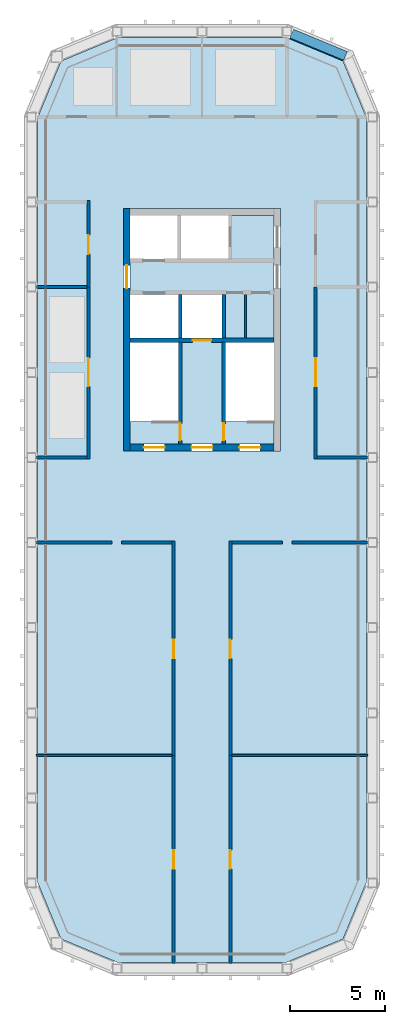
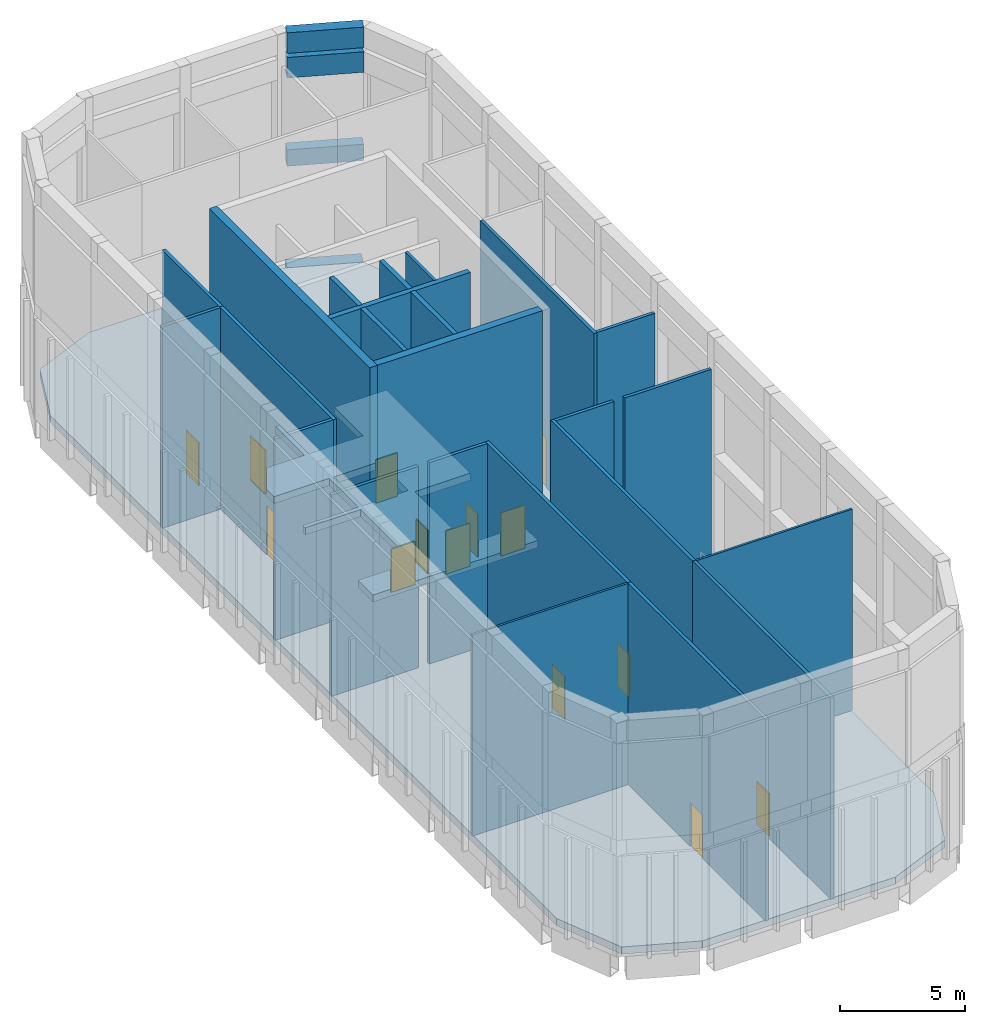
# One storey, part 2 of 7: 24 walls, 14 doors, 4 beams, 2 slabs, 14 openings.
"""IFC4 building model written with IfcOpenShell, lengths in metres."""

from ifc_helpers import new_model, si_unit, direction, frame, frame_2d, origin, origin_2d, place, context, subcontext, project, spatial, polyline, rectangle, hollow_rectangle, outline, extrude, material, layer, layer_set, material_profile, profile_set, type_object, element, fill, save


model = new_model("IFC4")

# Units and contexts
model_context = context("Model", 3, precision=1e-05, world=origin(), true_north=direction((0.0, 1.0)))
body_context = subcontext(model_context, "Body", "Model", "MODEL_VIEW")
ifc_project = project(units=[si_unit("LENGTHUNIT", "METRE"), si_unit("AREAUNIT", "SQUARE_METRE"), si_unit("VOLUMEUNIT", "CUBIC_METRE"), si_unit("PLANEANGLEUNIT", "RADIAN"), si_unit("MASSUNIT", "GRAM", prefix="KILO")], contexts=[model_context])

# Site, building, storey
site_placement = place(None, origin())
site = spatial("IfcSite", under=ifc_project, at=site_placement, CompositionType="ELEMENT")
building_placement = place(site_placement, origin())
building = spatial("IfcBuilding", under=site, at=building_placement, Name="Girih Gate Residences", CompositionType="ELEMENT")
storey_placement = place(building_placement, frame((0.0, 0.0, 247.094970703125)))
storey = spatial("IfcBuildingStorey", under=building, at=storey_placement, Name="L67", CompositionType="ELEMENT", Elevation=247.094970703125)

# Beams
ifc_material_1 = material(Name="Steel S460", Category="steel")
ifc_material_profile_1 = material_profile(ifc_material_1, hollow_rectangle(XDim=0.60009765625, YDim=1.199951171875, WallThickness=0.0400390625, at=origin_2d()))
ifc_profile_set_1 = profile_set([ifc_material_profile_1], Name="Steel S460")
beam_type_1 = type_object("IfcBeamType", Name="CROWN FRAME ring beam BOX 1200x600x40 Steel S460", PredefinedType="BEAM", material=ifc_profile_set_1)
beam_1_placement = place(storey_placement, frame((16.567138671875, 48.2294921875, -0.599853515625), z_axis=(-0.923877253694, 0.382688933871, 0.0), x_axis=(-0.382688933871, -0.923877253694, 0.0)))
element("IfcBeam", 1, at=beam_1_placement, inside=storey, type_object=beam_type_1, Name="CROWN FRAME ring beam 247.1 2", PredefinedType="BEAM", context=body_context, shape_type="SweptSolid", body=[
    extrude(hollow_rectangle(XDim=0.60009765625, YDim=1.199951171875, WallThickness=0.0400390625, at=origin_2d()), origin(), (0.0, 0.0, 1.0), 3.06982421875),
])
ifc_material_profile_2 = material_profile(ifc_material_1, hollow_rectangle(XDim=0.5, YDim=1.0, WallThickness=0.030029296875, at=origin_2d()))
ifc_profile_set_2 = profile_set([ifc_material_profile_2], Name="Steel S460")
beam_type_2 = type_object("IfcBeamType", Name="CROWN FRAME roof ring beam BOX 1000x500x30 Steel S460", PredefinedType="BEAM", material=ifc_profile_set_2)
for number, where, z_axis, x_axis, name in (
    (2, (16.58642578125, 48.2216796875, 9.699951171875), (-0.923897456466, 0.382640157244, 0.0), (-0.382640157244, -0.923897456466, 0.0), "CROWN FRAME ring beam 257.3 2"),
    (3, (16.58642578125, 48.2216796875, 10.900146484375), (-0.923897456466, 0.382640157244, 0.0), (-0.382640157244, -0.923897456466, 0.0), "CROWN FRAME ring beam 258.5 2"),
):
    element("IfcBeam", number, at=place(storey_placement, frame(where, z_axis=z_axis, x_axis=x_axis)), inside=storey, type_object=beam_type_2, Name=name, PredefinedType="BEAM", context=body_context, shape_type="SweptSolid", body=[
        extrude(hollow_rectangle(XDim=0.5, YDim=1.0, WallThickness=0.030029296875, at=origin_2d()), origin(), (0.0, 0.0, 1.0), 3.090576171875),
    ])
ifc_material_profile_3 = material_profile(ifc_material_1, hollow_rectangle(XDim=0.5, YDim=0.800048828125, WallThickness=0.030029296875, at=origin_2d()))
ifc_profile_set_3 = profile_set([ifc_material_profile_3], Name="Steel S460")
beam_type_3 = type_object("IfcBeamType", Name="CROWN FRAME stiffening ring BOX 800x500x30 Steel S460", PredefinedType="BEAM", material=ifc_profile_set_3)
beam_2_placement = place(storey_placement, frame((16.58642578125, 48.2216796875, 5.300048828125), z_axis=(-0.923897456466, 0.382640157244, 0.0), x_axis=(-0.382640157244, -0.923897456466, 0.0)))
element("IfcBeam", 4, at=beam_2_placement, inside=storey, type_object=beam_type_3, Name="CROWN FRAME ring beam 252.8 2", PredefinedType="BEAM", context=body_context, shape_type="SweptSolid", body=[
    extrude(hollow_rectangle(XDim=0.5, YDim=0.800048828125, WallThickness=0.030029296875, at=origin_2d()), origin(), (0.0, 0.0, 1.0), 3.090576171875),
])

# Slabs
ifc_material_2 = material(Name="Concrete C40/50", Category="concrete")
ifc_layer_1 = layer(ifc_material_2, 0.35009765625)
ifc_layer_set_1 = layer_set([ifc_layer_1], Name="Core floor slab 350")
slab_type_1 = type_object("IfcSlabType", Name="Core floor slab 350", PredefinedType="FLOOR", material=ifc_layer_set_1)
slab_1_placement = place(storey_placement, frame((0.0, 0.0, -0.349853515625)))
element("IfcSlab", 5, at=slab_1_placement, inside=storey, type_object=slab_type_1, Name="L67 W core floor", PredefinedType="FLOOR", context=body_context, shape_type="SweptSolid", body=[
    extrude(outline(polyline([(12.800048828125, 27.699951171875), (5.199951171875, 27.699951171875), (5.199951171875, 28.900634765625), (7.75, 28.900634765625), (7.75, 33.10009765625), (5.199951171875, 33.10009765625), (5.199951171875, 33.300048828125), (7.75, 33.300048828125), (7.75, 35.60009765625), (5.199951171875, 35.60009765625), (5.199951171875, 37.5), (7.699951171875, 37.5), (7.699951171875, 39.800048828125), (7.89990234375, 39.800048828125), (7.89990234375, 37.5), (10.39990234375, 37.5), (10.39990234375, 39.800048828125), (12.800048828125, 39.800048828125), (12.800048828125, 33.10009765625), (10.25, 33.10009765625), (10.25, 28.900634765625), (12.800048828125, 28.900634765625), (12.800048828125, 27.699951171875)]), holes=[polyline([(7.949951171875, 33.300048828125), (10.050048828125, 33.300048828125), (10.050048828125, 35.60009765625), (7.949951171875, 35.60009765625), (7.949951171875, 33.300048828125)])]), origin(), (0.0, 0.0, 1.0), 0.349853515625),
])
ifc_layer_2 = layer(ifc_material_2, 0.35009765625)
ifc_layer_set_2 = layer_set([ifc_layer_2], Name="Floor slab PT 350 Concrete C40/50")
slab_type_2 = type_object("IfcSlabType", Name="Floor slab PT 350 Concrete C40/50", PredefinedType="FLOOR", material=ifc_layer_set_2)
slab_2_placement = place(storey_placement, frame((0.0, 0.0, -0.349853515625)))
element("IfcSlab", 6, at=slab_2_placement, inside=storey, type_object=slab_type_2, Name="Floor slab L67 0", PredefinedType="FLOOR", context=body_context, shape_type="SweptSolid", body=[
    extrude(outline(polyline([(17.699951171875, 44.9404296875), (16.452392578125, 47.952392578125), (13.4404296875, 49.199951171875), (4.5595703125, 49.199951171875), (1.547607421875, 47.952392578125), (0.300048828125, 44.9404296875), (0.300048828125, 4.5595703125), (1.547607421875, 1.547607421875), (4.5595703125, 0.300048828125), (13.4404296875, 0.300048828125), (16.452392578125, 1.547607421875), (17.699951171875, 4.5595703125), (17.699951171875, 44.9404296875)]), holes=[polyline([(4.85009765625, 40.14990234375), (13.14990234375, 40.14990234375), (13.14990234375, 27.35009765625), (4.85009765625, 27.35009765625), (4.85009765625, 40.14990234375)])]), origin(), (0.0, 0.0, 1.0), 0.349853515625),
])

# Wall, opening, door
ifc_material_3 = material(Name="Gypsum board on steel studs", Category="steel")
ifc_layer_3 = layer(ifc_material_3, 0.14990234375)
ifc_layer_set_3 = layer_set([ifc_layer_3], Name="Compartment wall 150 mm")
wall_type_1 = type_object("IfcWallType", Name="Compartment wall 150 mm", PredefinedType="PARTITIONING", material=ifc_layer_set_3)
wall_1_placement = place(storey_placement, frame((15.0, 36.0, 0.0), z_axis=(0.0, 0.0, 1.0), x_axis=(0.0, -1.0, 0.0)))
wall_1 = element("IfcWall", 7, at=wall_1_placement, inside=storey, type_object=wall_type_1, Name="L67 partition", PredefinedType="PARTITIONING", context=body_context, shape_type="SweptSolid", body=[
    extrude(rectangle(XDim=9.074951171875, YDim=0.14990234375, at=frame_2d((4.53759765625, 0.0))), origin(), (0.0, 0.0, 1.0), 9.800048828125),
])
opening_1_placement = place(wall_1_placement, frame((3.75, 0.0, 0.0)))
opening_1 = element("IfcOpeningElement", 8, at=opening_1_placement, cuts=wall_1, Name="Opening D-L67-S-001", PredefinedType="OPENING", context=body_context, shape_type="SweptSolid", body=[
    extrude(rectangle(XDim=1.5, YDim=2.39990234375, at=frame_2d((0.75, 1.199951171875))), frame((0.0, 0.0849609375, 0.0), z_axis=(0.0, -1.0, 0.0), x_axis=(1.0, 0.0, 0.0)), (0.0, 0.0, 1.0), 0.169921875),
])
ifc_material_4 = material(Name="Painted steel, fire-resisting", Category="steel")
door_type_1 = type_object("IfcDoorType", Name="Plant room door pair 1500x2400 FD60", OperationType="DOUBLE_DOOR_SINGLE_SWING", PredefinedType="DOOR", material=ifc_material_4)
door_1_placement = place(opening_1_placement, origin())
door_1 = element("IfcDoor", 9, at=door_1_placement, inside=storey, type_object=door_type_1, Name="Door L67-001", OperationType="DOUBLE_DOOR_SINGLE_SWING", OverallHeight=2.39990234375, OverallWidth=1.5, PredefinedType="DOOR", context=body_context, shape_type="SweptSolid", body=[
    extrude(rectangle(XDim=1.5, YDim=2.39990234375, at=frame_2d((0.75, 1.199951171875))), frame((0.0, 0.02490234375, 0.0), z_axis=(0.0, -1.0, 0.0), x_axis=(1.0, 0.0, 0.0)), (0.0, 0.0, 1.0), 0.050048828125),
])
fill(opening_1, door_1)

wall_2_placement = place(storey_placement, frame((3.0, 26.925048828125, 0.0), z_axis=(0.0, 0.0, 1.0), x_axis=(0.0, 1.0, 0.0)))
wall_2 = element("IfcWall", 10, at=wall_2_placement, inside=storey, type_object=wall_type_1, Name="L67 partition", PredefinedType="PARTITIONING", context=body_context, shape_type="SweptSolid", body=[
    extrude(rectangle(XDim=9.074951171875, YDim=0.14990234375, at=frame_2d((4.53759765625, 0.0))), origin(), (0.0, 0.0, 1.0), 9.800048828125),
])
opening_2_placement = place(wall_2_placement, frame((3.824951171875, 0.0, 0.0)))
opening_2 = element("IfcOpeningElement", 11, at=opening_2_placement, cuts=wall_2, Name="Opening D-L67-S-003", PredefinedType="OPENING", context=body_context, shape_type="SweptSolid", body=[
    extrude(rectangle(XDim=1.5, YDim=2.39990234375, at=frame_2d((0.75, 1.199951171875))), frame((0.0, 0.0849609375, 0.0), z_axis=(0.0, -1.0, 0.0), x_axis=(1.0, 0.0, 0.0)), (0.0, 0.0, 1.0), 0.169921875),
])
door_2_placement = place(opening_2_placement, origin())
door_2 = element("IfcDoor", 12, at=door_2_placement, inside=storey, type_object=door_type_1, Name="Door L67-003", OperationType="DOUBLE_DOOR_SINGLE_SWING", OverallHeight=2.39990234375, OverallWidth=1.5, PredefinedType="DOOR", context=body_context, shape_type="SweptSolid", body=[
    extrude(rectangle(XDim=1.5, YDim=2.39990234375, at=frame_2d((0.75, 1.199951171875))), frame((0.0, 0.02490234375, 0.0), z_axis=(0.0, -1.0, 0.0), x_axis=(1.0, 0.0, 0.0)), (0.0, 0.0, 1.0), 0.050048828125),
])
fill(opening_2, door_2)

wall_3_placement = place(storey_placement, frame((3.0, 36.0, 0.0), z_axis=(0.0, 0.0, 1.0), x_axis=(0.0, 1.0, 0.0)))
wall_3 = element("IfcWall", 13, at=wall_3_placement, inside=storey, type_object=wall_type_1, Name="L67 partition", PredefinedType="PARTITIONING", context=body_context, shape_type="SweptSolid", body=[
    extrude(rectangle(XDim=4.574951171875, YDim=0.14990234375, at=frame_2d((2.28759765625, 0.0))), origin(), (0.0, 0.0, 1.0), 9.800048828125),
])
opening_3_placement = place(wall_3_placement, frame((1.75, 0.0, 0.0)))
opening_3 = element("IfcOpeningElement", 14, at=opening_3_placement, cuts=wall_3, Name="Opening D-L67-S-004", PredefinedType="OPENING", context=body_context, shape_type="SweptSolid", body=[
    extrude(rectangle(XDim=1.0, YDim=2.10009765625, at=frame_2d((0.5, 1.050048828125))), frame((0.0, 0.0849609375, 0.0), z_axis=(0.0, -1.0, 0.0), x_axis=(1.0, 0.0, 0.0)), (0.0, 0.0, 1.0), 0.169921875),
])
door_type_2 = type_object("IfcDoorType", Name="Plant room door 1000x2100 FD60", OperationType="SINGLE_SWING_LEFT", PredefinedType="DOOR", material=ifc_material_4)
door_3_placement = place(opening_3_placement, origin())
door_3 = element("IfcDoor", 15, at=door_3_placement, inside=storey, type_object=door_type_2, Name="Door L67-004", OperationType="SINGLE_SWING_LEFT", OverallHeight=2.10009765625, OverallWidth=1.0, PredefinedType="DOOR", context=body_context, shape_type="SweptSolid", body=[
    extrude(rectangle(XDim=1.0, YDim=2.10009765625, at=frame_2d((0.5, 1.050048828125))), frame((0.0, 0.02490234375, 0.0), z_axis=(0.0, -1.0, 0.0), x_axis=(1.0, 0.0, 0.0)), (0.0, 0.0, 1.0), 0.050048828125),
])
fill(opening_3, door_3)

# Walls
for number, where, z_axis, x_axis, name in (
    (16, (15.074951171875, 27.0, 0.0), (0.0, 0.0, 1.0), (1.0, 0.0, 0.0), "L67 partition"),
    (17, (0.25, 27.0, 0.0), (0.0, 0.0, 1.0), (1.0, 0.0, 0.0), "L67 partition"),
    (18, (4.75, 22.5, 0.0), (0.0, 0.0, 1.0), (1.0, 0.0, 0.0), "L67 partition"),
):
    element("IfcWall", number, at=place(storey_placement, frame(where, z_axis=z_axis, x_axis=x_axis)), inside=storey, type_object=wall_type_1, Name=name, PredefinedType="PARTITIONING", context=body_context, shape_type="SweptSolid", body=[
        extrude(rectangle(XDim=2.675048828125, YDim=0.14990234375, at=frame_2d((1.33740234375, 0.0))), origin(), (0.0, 0.0, 1.0), 9.800048828125),
    ])
for number, where, z_axis, x_axis, name in (
    (19, (0.25, 22.5, 0.0), (0.0, 0.0, 1.0), (1.0, 0.0, 0.0), "L67 partition"),
    (20, (13.75, 22.5, 0.0), (0.0, 0.0, 1.0), (1.0, 0.0, 0.0), "L67 partition"),
):
    element("IfcWall", number, at=place(storey_placement, frame(where, z_axis=z_axis, x_axis=x_axis)), inside=storey, type_object=wall_type_1, Name=name, PredefinedType="PARTITIONING", context=body_context, shape_type="SweptSolid", body=[
        extrude(rectangle(XDim=4.0, YDim=0.14990234375, at=frame_2d((2.0, 0.0))), origin(), (0.0, 0.0, 1.0), 9.800048828125),
    ])
for number, where, z_axis, x_axis, name in (
    (21, (10.574951171875, 22.5, 0.0), (0.0, 0.0, 1.0), (1.0, 0.0, 0.0), "L67 partition"),
    (22, (0.25, 36.0, 0.0), (0.0, 0.0, 1.0), (1.0, 0.0, 0.0), "L67 partition"),
):
    element("IfcWall", number, at=place(storey_placement, frame(where, z_axis=z_axis, x_axis=x_axis)), inside=storey, type_object=wall_type_1, Name=name, PredefinedType="PARTITIONING", context=body_context, shape_type="SweptSolid", body=[
        extrude(rectangle(XDim=2.675048828125, YDim=0.14990234375, at=frame_2d((1.33740234375, 0.0))), origin(), (0.0, 0.0, 1.0), 9.800048828125),
    ])

# Wall, opening, door
wall_4_placement = place(storey_placement, frame((7.5, 0.25, 0.0), z_axis=(0.0, 0.0, 1.0), x_axis=(0.0, 1.0, 0.0)))
wall_4 = element("IfcWall", 23, at=wall_4_placement, inside=storey, type_object=wall_type_1, Name="L67 partition", PredefinedType="PARTITIONING", context=body_context, shape_type="SweptSolid", body=[
    extrude(rectangle(XDim=11.0, YDim=0.14990234375, at=frame_2d((5.5, 0.0))), origin(), (0.0, 0.0, 1.0), 9.800048828125),
])
opening_4_placement = place(wall_4_placement, frame((5.0, 0.0, 0.0)))
opening_4 = element("IfcOpeningElement", 24, at=opening_4_placement, cuts=wall_4, Name="Opening D-L67-S-009", PredefinedType="OPENING", context=body_context, shape_type="SweptSolid", body=[
    extrude(rectangle(XDim=1.0, YDim=2.10009765625, at=frame_2d((0.5, 1.050048828125))), frame((0.0, 0.0849609375, 0.0), z_axis=(0.0, -1.0, 0.0), x_axis=(1.0, 0.0, 0.0)), (0.0, 0.0, 1.0), 0.169921875),
])
door_4_placement = place(opening_4_placement, origin())
door_4 = element("IfcDoor", 25, at=door_4_placement, inside=storey, type_object=door_type_2, Name="Door L67-009", OperationType="SINGLE_SWING_RIGHT", OverallHeight=2.10009765625, OverallWidth=1.0, PredefinedType="DOOR", context=body_context, shape_type="SweptSolid", body=[
    extrude(rectangle(XDim=1.0, YDim=2.10009765625, at=frame_2d((0.5, 1.050048828125))), frame((0.0, 0.02490234375, 0.0), z_axis=(0.0, -1.0, 0.0), x_axis=(1.0, 0.0, 0.0)), (0.0, 0.0, 1.0), 0.050048828125),
])
fill(opening_4, door_4)

wall_5_placement = place(storey_placement, frame((10.5, 11.25, 0.0), z_axis=(0.0, 0.0, 1.0), x_axis=(0.0, -1.0, 0.0)))
wall_5 = element("IfcWall", 26, at=wall_5_placement, inside=storey, type_object=wall_type_1, Name="L67 partition", PredefinedType="PARTITIONING", context=body_context, shape_type="SweptSolid", body=[
    extrude(rectangle(XDim=11.0, YDim=0.14990234375, at=frame_2d((5.5, 0.0))), origin(), (0.0, 0.0, 1.0), 9.800048828125),
])
opening_5_placement = place(wall_5_placement, frame((5.0, 0.0, 0.0)))
opening_5 = element("IfcOpeningElement", 27, at=opening_5_placement, cuts=wall_5, Name="Opening D-L67-S-010", PredefinedType="OPENING", context=body_context, shape_type="SweptSolid", body=[
    extrude(rectangle(XDim=1.0, YDim=2.10009765625, at=frame_2d((0.5, 1.050048828125))), frame((0.0, 0.0849609375, 0.0), z_axis=(0.0, -1.0, 0.0), x_axis=(1.0, 0.0, 0.0)), (0.0, 0.0, 1.0), 0.169921875),
])
door_5_placement = place(opening_5_placement, origin())
door_5 = element("IfcDoor", 28, at=door_5_placement, inside=storey, type_object=door_type_2, Name="Door L67-010", OperationType="SINGLE_SWING_RIGHT", OverallHeight=2.10009765625, OverallWidth=1.0, PredefinedType="DOOR", context=body_context, shape_type="SweptSolid", body=[
    extrude(rectangle(XDim=1.0, YDim=2.10009765625, at=frame_2d((0.5, 1.050048828125))), frame((0.0, 0.02490234375, 0.0), z_axis=(0.0, -1.0, 0.0), x_axis=(1.0, 0.0, 0.0)), (0.0, 0.0, 1.0), 0.050048828125),
])
fill(opening_5, door_5)

wall_6_placement = place(storey_placement, frame((7.5, 11.25, 0.0), z_axis=(0.0, 0.0, 1.0), x_axis=(0.0, 1.0, 0.0)))
wall_6 = element("IfcWall", 29, at=wall_6_placement, inside=storey, type_object=wall_type_1, Name="L67 partition", PredefinedType="PARTITIONING", context=body_context, shape_type="SweptSolid", body=[
    extrude(rectangle(XDim=11.324951171875, YDim=0.14990234375, at=frame_2d((5.66259765625, 0.0))), origin(), (0.0, 0.0, 1.0), 9.800048828125),
])
opening_6_placement = place(wall_6_placement, frame((5.125, 0.0, 0.0)))
opening_6 = element("IfcOpeningElement", 30, at=opening_6_placement, cuts=wall_6, Name="Opening D-L67-S-011", PredefinedType="OPENING", context=body_context, shape_type="SweptSolid", body=[
    extrude(rectangle(XDim=1.0, YDim=2.10009765625, at=frame_2d((0.5, 1.050048828125))), frame((0.0, 0.0849609375, 0.0), z_axis=(0.0, -1.0, 0.0), x_axis=(1.0, 0.0, 0.0)), (0.0, 0.0, 1.0), 0.169921875),
])
door_6_placement = place(opening_6_placement, origin())
door_6 = element("IfcDoor", 31, at=door_6_placement, inside=storey, type_object=door_type_2, Name="Door L67-011", OperationType="SINGLE_SWING_LEFT", OverallHeight=2.10009765625, OverallWidth=1.0, PredefinedType="DOOR", context=body_context, shape_type="SweptSolid", body=[
    extrude(rectangle(XDim=1.0, YDim=2.10009765625, at=frame_2d((0.5, 1.050048828125))), frame((0.0, 0.02490234375, 0.0), z_axis=(0.0, -1.0, 0.0), x_axis=(1.0, 0.0, 0.0)), (0.0, 0.0, 1.0), 0.050048828125),
])
fill(opening_6, door_6)

wall_7_placement = place(storey_placement, frame((10.5, 22.574951171875, 0.0), z_axis=(0.0, 0.0, 1.0), x_axis=(0.0, -1.0, 0.0)))
wall_7 = element("IfcWall", 32, at=wall_7_placement, inside=storey, type_object=wall_type_1, Name="L67 partition", PredefinedType="PARTITIONING", context=body_context, shape_type="SweptSolid", body=[
    extrude(rectangle(XDim=11.324951171875, YDim=0.14990234375, at=frame_2d((5.66259765625, 0.0))), origin(), (0.0, 0.0, 1.0), 9.800048828125),
])
opening_7_placement = place(wall_7_placement, frame((5.199951171875, 0.0, 0.0)))
opening_7 = element("IfcOpeningElement", 33, at=opening_7_placement, cuts=wall_7, Name="Opening D-L67-S-012", PredefinedType="OPENING", context=body_context, shape_type="SweptSolid", body=[
    extrude(rectangle(XDim=1.0, YDim=2.10009765625, at=frame_2d((0.5, 1.050048828125))), frame((0.0, 0.0849609375, 0.0), z_axis=(0.0, -1.0, 0.0), x_axis=(1.0, 0.0, 0.0)), (0.0, 0.0, 1.0), 0.169921875),
])
door_7_placement = place(opening_7_placement, origin())
door_7 = element("IfcDoor", 34, at=door_7_placement, inside=storey, type_object=door_type_2, Name="Door L67-012", OperationType="SINGLE_SWING_RIGHT", OverallHeight=2.10009765625, OverallWidth=1.0, PredefinedType="DOOR", context=body_context, shape_type="SweptSolid", body=[
    extrude(rectangle(XDim=1.0, YDim=2.10009765625, at=frame_2d((0.5, 1.050048828125))), frame((0.0, 0.02490234375, 0.0), z_axis=(0.0, -1.0, 0.0), x_axis=(1.0, 0.0, 0.0)), (0.0, 0.0, 1.0), 0.050048828125),
])
fill(opening_7, door_7)

# Wall, openings, doors
ifc_material_5 = material(Name="Concrete C60/75", Category="concrete")
ifc_layer_4 = layer(ifc_material_5, 0.35009765625)
ifc_layer_set_4 = layer_set([ifc_layer_4], Name="Core wall RC 350 Concrete C60/75")
wall_type_2 = type_object("IfcWallType", Name="Core wall RC 350 Concrete C60/75", PredefinedType="SOLIDWALL", material=ifc_layer_set_4)
wall_8_placement = place(storey_placement, frame((5.199951171875, 27.52490234375, 0.0), z_axis=(0.0, 0.0, 1.0), x_axis=(1.0, 0.0, 0.0)))
wall_8 = element("IfcWall", 35, at=wall_8_placement, inside=storey, type_object=wall_type_2, Name="Core wall W-S L67", PredefinedType="SOLIDWALL", context=body_context, shape_type="SweptSolid", body=[
    extrude(rectangle(XDim=7.60009765625, YDim=0.35009765625, at=frame_2d((3.800048828125, 0.0))), origin(), (0.0, 0.0, 1.0), 11.400146484375),
])
opening_8_placement = place(wall_8_placement, frame((0.72509765625, 0.0, 0.0)))
opening_8 = element("IfcOpeningElement", 36, at=opening_8_placement, cuts=wall_8, Name="Opening D-L67-W-009", PredefinedType="OPENING", context=body_context, shape_type="SweptSolid", body=[
    extrude(rectangle(XDim=1.10009765625, YDim=2.10009765625, at=frame_2d((0.550048828125, 1.050048828125))), frame((0.0, 0.18505859375, 0.0), z_axis=(0.0, -1.0, 0.0), x_axis=(1.0, 0.0, 0.0)), (0.0, 0.0, 1.0), 0.3701171875),
])
opening_9_placement = place(wall_8_placement, frame((3.25, 0.0, 0.0)))
opening_9 = element("IfcOpeningElement", 37, at=opening_9_placement, cuts=wall_8, Name="Opening D-L67-W-010", PredefinedType="OPENING", context=body_context, shape_type="SweptSolid", body=[
    extrude(rectangle(XDim=1.10009765625, YDim=2.10009765625, at=frame_2d((0.550048828125, 1.050048828125))), frame((0.0, 0.18505859375, 0.0), z_axis=(0.0, -1.0, 0.0), x_axis=(1.0, 0.0, 0.0)), (0.0, 0.0, 1.0), 0.3701171875),
])
opening_10_placement = place(wall_8_placement, frame((5.77490234375, 0.0, 0.0)))
opening_10 = element("IfcOpeningElement", 38, at=opening_10_placement, cuts=wall_8, Name="Opening D-L67-W-011", PredefinedType="OPENING", context=body_context, shape_type="SweptSolid", body=[
    extrude(rectangle(XDim=1.10009765625, YDim=2.10009765625, at=frame_2d((0.550048828125, 1.050048828125))), frame((0.0, 0.18505859375, 0.0), z_axis=(0.0, -1.0, 0.0), x_axis=(1.0, 0.0, 0.0)), (0.0, 0.0, 1.0), 0.3701171875),
])
door_type_3 = type_object("IfcDoorType", Name="Fire door 1100x2100", OperationType="SINGLE_SWING_LEFT", PredefinedType="DOOR", material=ifc_material_4)
door_8_placement = place(opening_8_placement, origin())
door_8 = element("IfcDoor", 39, at=door_8_placement, inside=storey, type_object=door_type_3, Name="L67 W core door sta-out", OperationType="SINGLE_SWING_LEFT", OverallHeight=2.10009765625, OverallWidth=1.10009765625, PredefinedType="DOOR", context=body_context, shape_type="SweptSolid", body=[
    extrude(rectangle(XDim=1.10009765625, YDim=2.10009765625, at=frame_2d((0.550048828125, 1.050048828125))), frame((0.0, 0.02490234375, 0.0), z_axis=(0.0, -1.0, 0.0), x_axis=(1.0, 0.0, 0.0)), (0.0, 0.0, 1.0), 0.050048828125),
])
fill(opening_8, door_8)
door_9_placement = place(opening_9_placement, origin())
door_9 = element("IfcDoor", 40, at=door_9_placement, inside=storey, type_object=door_type_3, Name="L67 W core door ffl-out", OperationType="SINGLE_SWING_LEFT", OverallHeight=2.10009765625, OverallWidth=1.10009765625, PredefinedType="DOOR", context=body_context, shape_type="SweptSolid", body=[
    extrude(rectangle(XDim=1.10009765625, YDim=2.10009765625, at=frame_2d((0.550048828125, 1.050048828125))), frame((0.0, 0.02490234375, 0.0), z_axis=(0.0, -1.0, 0.0), x_axis=(1.0, 0.0, 0.0)), (0.0, 0.0, 1.0), 0.050048828125),
])
fill(opening_9, door_9)
door_10_placement = place(opening_10_placement, origin())
door_10 = element("IfcDoor", 41, at=door_10_placement, inside=storey, type_object=door_type_3, Name="L67 W core door stb-out", OperationType="SINGLE_SWING_LEFT", OverallHeight=2.10009765625, OverallWidth=1.10009765625, PredefinedType="DOOR", context=body_context, shape_type="SweptSolid", body=[
    extrude(rectangle(XDim=1.10009765625, YDim=2.10009765625, at=frame_2d((0.550048828125, 1.050048828125))), frame((0.0, 0.02490234375, 0.0), z_axis=(0.0, -1.0, 0.0), x_axis=(1.0, 0.0, 0.0)), (0.0, 0.0, 1.0), 0.050048828125),
])
fill(opening_10, door_10)

# Wall, opening, door
wall_9_placement = place(storey_placement, frame((5.02490234375, 27.35009765625, 0.0), z_axis=(0.0, 0.0, 1.0), x_axis=(0.0, 1.0, 0.0)))
wall_9 = element("IfcWall", 42, at=wall_9_placement, inside=storey, type_object=wall_type_2, Name="Core wall W-W L67", PredefinedType="SOLIDWALL", context=body_context, shape_type="SweptSolid", body=[
    extrude(rectangle(XDim=12.7998046875, YDim=0.35009765625, at=frame_2d((6.39990234375, 0.0))), origin(), (0.0, 0.0, 1.0), 11.400146484375),
])
opening_11_placement = place(wall_9_placement, frame((8.60009765625, 0.0, 0.0)))
opening_11 = element("IfcOpeningElement", 43, at=opening_11_placement, cuts=wall_9, Name="Opening D-L67-W-013", PredefinedType="OPENING", context=body_context, shape_type="SweptSolid", body=[
    extrude(rectangle(XDim=1.199951171875, YDim=2.10009765625, at=frame_2d((0.60009765625, 1.050048828125))), frame((0.0, 0.18505859375, 0.0), z_axis=(0.0, -1.0, 0.0), x_axis=(1.0, 0.0, 0.0)), (0.0, 0.0, 1.0), 0.3701171875),
])
door_type_4 = type_object("IfcDoorType", Name="Fire door 1200x2100", OperationType="SINGLE_SWING_LEFT", PredefinedType="DOOR", material=ifc_material_4)
door_11_placement = place(opening_11_placement, origin())
door_11 = element("IfcDoor", 44, at=door_11_placement, inside=storey, type_object=door_type_4, Name="L67 W core door ll-w", OperationType="SINGLE_SWING_LEFT", OverallHeight=2.10009765625, OverallWidth=1.199951171875, PredefinedType="DOOR", context=body_context, shape_type="SweptSolid", body=[
    extrude(rectangle(XDim=1.199951171875, YDim=2.10009765625, at=frame_2d((0.60009765625, 1.050048828125))), frame((0.0, 0.02490234375, 0.0), z_axis=(0.0, -1.0, 0.0), x_axis=(1.0, 0.0, 0.0)), (0.0, 0.0, 1.0), 0.050048828125),
])
fill(opening_11, door_11)

ifc_layer_5 = layer(ifc_material_2, 0.25)
ifc_layer_set_5 = layer_set([ifc_layer_5], Name="Lift shaft wall 250")
wall_type_3 = type_object("IfcWallType", Name="Lift shaft wall 250", PredefinedType="SOLIDWALL", material=ifc_layer_set_5)
wall_10_placement = place(storey_placement, frame((5.199951171875, 33.199951171875, 0.0), z_axis=(0.0, 0.0, 1.0), x_axis=(1.0, 0.0, 0.0)))
wall_10 = element("IfcWall", 45, at=wall_10_placement, inside=storey, type_object=wall_type_3, Name="L67 W core wall H1", PredefinedType="SOLIDWALL", context=body_context, shape_type="SweptSolid", body=[
    extrude(rectangle(XDim=7.60009765625, YDim=0.25, at=frame_2d((3.800048828125, 0.0))), origin(), (0.0, 0.0, 1.0), 9.800048828125),
])
opening_12_placement = place(wall_10_placement, frame((3.300048828125, 0.0, 0.0)))
opening_12 = element("IfcOpeningElement", 46, at=opening_12_placement, cuts=wall_10, Name="Opening D-L67-W-006", PredefinedType="OPENING", context=body_context, shape_type="SweptSolid", body=[
    extrude(rectangle(XDim=1.0, YDim=2.10009765625, at=frame_2d((0.5, 1.050048828125))), frame((0.0, 0.135009765625, 0.0), z_axis=(0.0, -1.0, 0.0), x_axis=(1.0, 0.0, 0.0)), (0.0, 0.0, 1.0), 0.27001953125),
])
ifc_material_6 = material(Name="Stainless steel, fire-resisting", Category="steel")
door_type_5 = type_object("IfcDoorType", Name="Firefighting lift landing door 1000x2100", OperationType="SLIDING_TO_LEFT", PredefinedType="DOOR", material=ifc_material_6)
door_12_placement = place(opening_12_placement, origin())
door_12 = element("IfcDoor", 47, at=door_12_placement, inside=storey, type_object=door_type_5, Name="L67 lift FF-W landing door", OperationType="SLIDING_TO_LEFT", OverallHeight=2.10009765625, OverallWidth=1.0, PredefinedType="DOOR", context=body_context, shape_type="SweptSolid", body=[
    extrude(rectangle(XDim=1.0, YDim=2.10009765625, at=frame_2d((0.5, 1.050048828125))), frame((0.0, 0.02490234375, 0.0), z_axis=(0.0, -1.0, 0.0), x_axis=(1.0, 0.0, 0.0)), (0.0, 0.0, 1.0), 0.050048828125),
])
fill(opening_12, door_12)

# Walls
ifc_layer_6 = layer(ifc_material_3, 0.10009765625)
ifc_layer_set_6 = layer_set([ifc_layer_6], Name="Partition 100 mm")
wall_type_4 = type_object("IfcWallType", Name="Partition 100 mm", PredefinedType="PARTITIONING", material=ifc_layer_set_6)
for number, where, z_axis, x_axis, name in (
    (48, (0.25, 11.25, 0.0), (0.0, 0.0, 1.0), (1.0, 0.0, 0.0), "L67 partition"),
    (49, (10.574951171875, 11.25, 0.0), (0.0, 0.0, 1.0), (1.0, 0.0, 0.0), "L67 partition"),
):
    element("IfcWall", number, at=place(storey_placement, frame(where, z_axis=z_axis, x_axis=x_axis)), inside=storey, type_object=wall_type_4, Name=name, PredefinedType="PARTITIONING", context=body_context, shape_type="SweptSolid", body=[
        extrude(rectangle(XDim=7.175048828125, YDim=0.10009765625, at=frame_2d((3.58740234375, 0.0))), origin(), (0.0, 0.0, 1.0), 9.800048828125),
    ])

# Wall, opening, door
ifc_layer_7 = layer(ifc_material_2, 0.199951171875)
ifc_layer_set_7 = layer_set([ifc_layer_7], Name="Shaft wall 200")
wall_type_5 = type_object("IfcWallType", Name="Shaft wall 200", PredefinedType="SOLIDWALL", material=ifc_layer_set_7)
wall_11_placement = place(storey_placement, frame((7.85009765625, 27.699951171875, 0.0), z_axis=(0.0, 0.0, 1.0), x_axis=(0.0, 1.0, 0.0)))
wall_11 = element("IfcWall", 50, at=wall_11_placement, inside=storey, type_object=wall_type_5, Name="L67 W core wall V1a", PredefinedType="SOLIDWALL", context=body_context, shape_type="SweptSolid", body=[
    extrude(rectangle(XDim=5.400146484375, YDim=0.199951171875, at=frame_2d((2.7001953125, 0.0))), origin(), (0.0, 0.0, 1.0), 9.800048828125),
])
opening_13_placement = place(wall_11_placement, frame((0.199951171875, 0.0, 0.0)))
opening_13 = element("IfcOpeningElement", 51, at=opening_13_placement, cuts=wall_11, Name="Opening D-L67-W-001", PredefinedType="OPENING", context=body_context, shape_type="SweptSolid", body=[
    extrude(rectangle(XDim=0.89990234375, YDim=2.10009765625, at=frame_2d((0.449951171875, 1.050048828125))), frame((0.0, 0.10986328125, 0.0), z_axis=(0.0, -1.0, 0.0), x_axis=(1.0, 0.0, 0.0)), (0.0, 0.0, 1.0), 0.219970703125),
])
door_type_6 = type_object("IfcDoorType", Name="Fire door 900x2100", OperationType="SINGLE_SWING_LEFT", PredefinedType="DOOR", material=ifc_material_4)
door_13_placement = place(opening_13_placement, origin())
door_13 = element("IfcDoor", 52, at=door_13_placement, inside=storey, type_object=door_type_6, Name="L67 W door stair 1 to firefighting lobby", OperationType="SINGLE_SWING_LEFT", OverallHeight=2.10009765625, OverallWidth=0.89990234375, PredefinedType="DOOR", context=body_context, shape_type="SweptSolid", body=[
    extrude(rectangle(XDim=0.89990234375, YDim=2.10009765625, at=frame_2d((0.449951171875, 1.050048828125))), frame((0.0, 0.02490234375, 0.0), z_axis=(0.0, -1.0, 0.0), x_axis=(1.0, 0.0, 0.0)), (0.0, 0.0, 1.0), 0.050048828125),
])
fill(opening_13, door_13)

wall_12_placement = place(storey_placement, frame((10.14990234375, 27.699951171875, 0.0), z_axis=(0.0, 0.0, 1.0), x_axis=(0.0, 1.0, 0.0)))
wall_12 = element("IfcWall", 53, at=wall_12_placement, inside=storey, type_object=wall_type_5, Name="L67 W core wall V2a", PredefinedType="SOLIDWALL", context=body_context, shape_type="SweptSolid", body=[
    extrude(rectangle(XDim=5.400146484375, YDim=0.199951171875, at=frame_2d((2.7001953125, 0.0))), origin(), (0.0, 0.0, 1.0), 9.800048828125),
])
opening_14_placement = place(wall_12_placement, frame((0.199951171875, 0.0, 0.0)))
opening_14 = element("IfcOpeningElement", 54, at=opening_14_placement, cuts=wall_12, Name="Opening D-L67-W-002", PredefinedType="OPENING", context=body_context, shape_type="SweptSolid", body=[
    extrude(rectangle(XDim=0.89990234375, YDim=2.10009765625, at=frame_2d((0.449951171875, 1.050048828125))), frame((0.0, 0.10986328125, 0.0), z_axis=(0.0, -1.0, 0.0), x_axis=(1.0, 0.0, 0.0)), (0.0, 0.0, 1.0), 0.219970703125),
])
door_14_placement = place(opening_14_placement, origin())
door_14 = element("IfcDoor", 55, at=door_14_placement, inside=storey, type_object=door_type_6, Name="L67 W door stair 2 to firefighting lobby", OperationType="SINGLE_SWING_LEFT", OverallHeight=2.10009765625, OverallWidth=0.89990234375, PredefinedType="DOOR", context=body_context, shape_type="SweptSolid", body=[
    extrude(rectangle(XDim=0.89990234375, YDim=2.10009765625, at=frame_2d((0.449951171875, 1.050048828125))), frame((0.0, 0.02490234375, 0.0), z_axis=(0.0, -1.0, 0.0), x_axis=(1.0, 0.0, 0.0)), (0.0, 0.0, 1.0), 0.050048828125),
])
fill(opening_14, door_14)

# Walls
for number, where, z_axis, x_axis, name in (
    (56, (7.85009765625, 33.300048828125, 0.0), (0.0, 0.0, 1.0), (0.0, 1.0, 0.0), "L67 W core wall V1b"),
    (57, (10.14990234375, 33.300048828125, 0.0), (0.0, 0.0, 1.0), (0.0, 1.0, 0.0), "L67 W core wall V2b"),
):
    element("IfcWall", number, at=place(storey_placement, frame(where, z_axis=z_axis, x_axis=x_axis)), inside=storey, type_object=wall_type_5, Name=name, PredefinedType="SOLIDWALL", context=body_context, shape_type="SweptSolid", body=[
        extrude(rectangle(XDim=2.300048828125, YDim=0.199951171875, at=frame_2d((1.14990234375, 0.0))), origin(), (0.0, 0.0, 1.0), 9.800048828125),
    ])
ifc_material_7 = material(Name="Calcium silicate blockwork", Category="masonry")
ifc_layer_8 = layer(ifc_material_7, 0.125)
ifc_layer_set_8 = layer_set([ifc_layer_8], Name="Store partition 125")
wall_type_6 = type_object("IfcWallType", Name="Store partition 125", PredefinedType="PARTITIONING", material=ifc_layer_set_8)
wall_13_placement = place(storey_placement, frame((11.300048828125, 33.300048828125, 0.0), z_axis=(0.0, 0.0, 1.0), x_axis=(0.0, 1.0, 0.0)))
element("IfcWall", 58, at=wall_13_placement, inside=storey, type_object=wall_type_6, Name="L67 W core wall SHR2", PredefinedType="PARTITIONING", context=body_context, shape_type="SweptSolid", body=[
    extrude(rectangle(XDim=2.300048828125, YDim=0.125, at=frame_2d((1.14990234375, 0.0))), origin(), (0.0, 0.0, 1.0), 9.800048828125),
])

save(model, "model.ifc")
